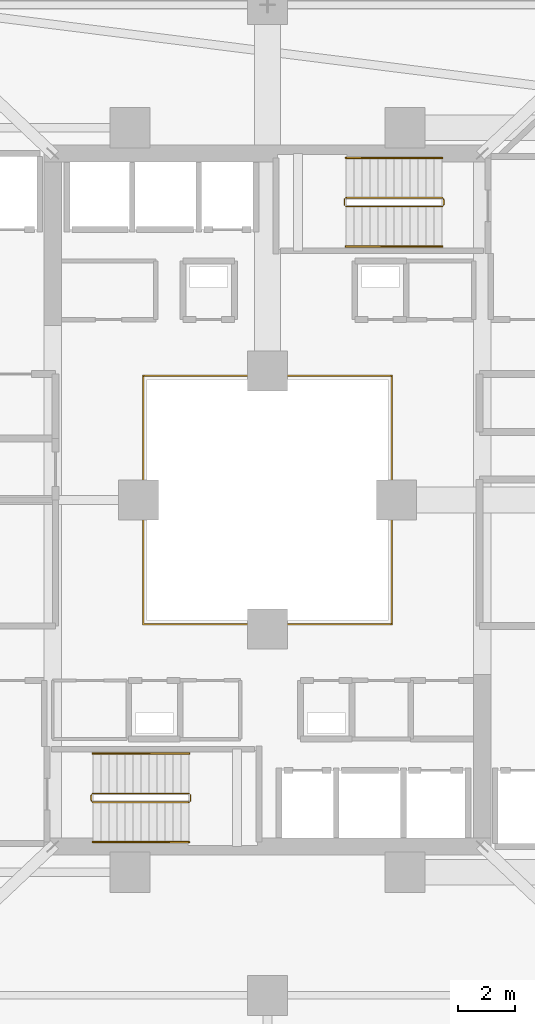
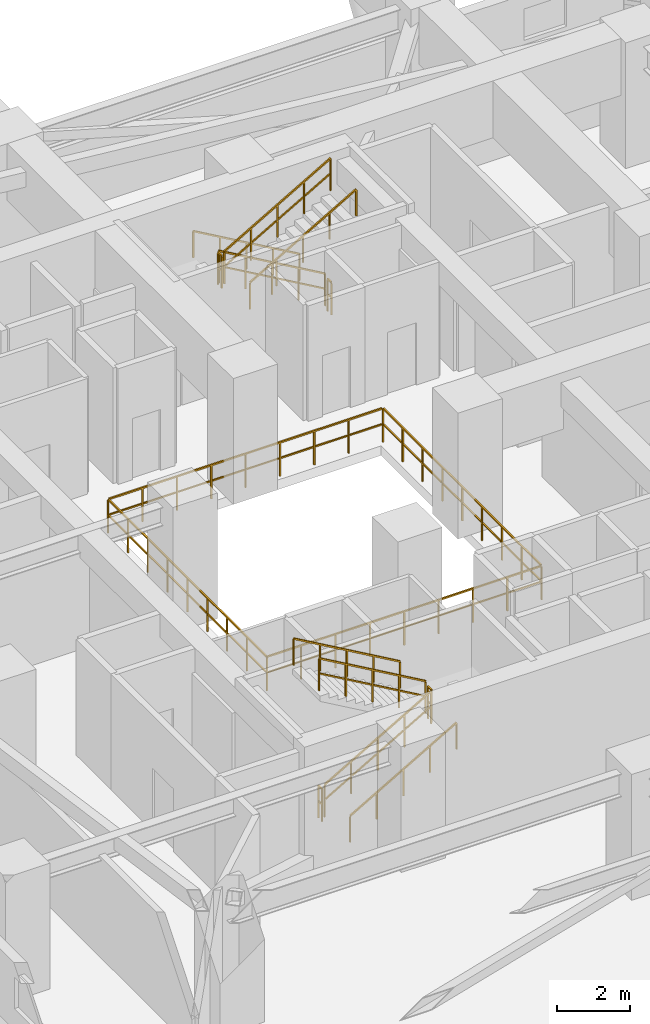
# One storey, part 37 of 38: 13 railings.
"""IFC4 building model written with IfcOpenShell, lengths in metres."""

from ifc_helpers import new_model, si_unit, direction, frame, origin, origin_2d, place, context, subcontext, project, spatial, rectangle, extrude, material, type_object, element, save


model = new_model("IFC4")

# Units and contexts
model_context = context("Model", 3, precision=1e-05, world=origin(), true_north=direction((0.0, 1.0)))
body_context = subcontext(model_context, "Body", "Model", "MODEL_VIEW")
ifc_project = project(units=[si_unit("LENGTHUNIT", "METRE"), si_unit("AREAUNIT", "SQUARE_METRE"), si_unit("VOLUMEUNIT", "CUBIC_METRE"), si_unit("PLANEANGLEUNIT", "RADIAN"), si_unit("MASSUNIT", "GRAM", prefix="KILO")], contexts=[model_context])

# Site, building, storey
site_placement = place(None, origin())
site = spatial("IfcSite", under=ifc_project, at=site_placement, CompositionType="ELEMENT")
building_placement = place(site_placement, origin())
building = spatial("IfcBuilding", under=site, at=building_placement, Name="Thornwick Lancets Civic Towers", CompositionType="ELEMENT")
storey_placement = place(building_placement, frame((0.0, 0.0, 71.699951171875)))
storey = spatial("IfcBuildingStorey", under=building, at=storey_placement, Name="L18", CompositionType="ELEMENT", Elevation=71.699951171875)

# Railings
ifc_material_1 = material(Name="Laminated glass and bronze steel S355", Category="steel")
railing_type_1 = type_object("IfcRailingType", Name="RAIL_ATRIUM_GUARD", PredefinedType="BALUSTRADE", material=ifc_material_1)
railing_1_placement = place(storey_placement, frame((21.159912109375, 22.659912109375, 0.0)))
element("IfcRailing", 1, at=railing_1_placement, inside=storey, type_object=railing_type_1, Name="L18 Tower A Central Atrium Guard Balustrade", PredefinedType="BALUSTRADE", context=body_context, shape_type="SweptSolid", body=[
    extrude(rectangle(XDim=0.048095703125, YDim=0.048095703125, at=origin_2d()), frame((0.0, 0.0, 1.1259765625), z_axis=(1.0, 0.0, 0.0), x_axis=(0.0, 1.0, 0.0)), (0.0, 0.0, 1.0), 8.64892578125),
    extrude(rectangle(XDim=0.0419921875, YDim=0.0419921875, at=origin_2d()), frame((0.03759765625, 0.0, 0.597900390625), z_axis=(1.0, 0.0, 0.0), x_axis=(0.0, 1.0, 0.0)), (0.0, 0.0, 1.0), 1.010009765625),
    extrude(rectangle(XDim=0.0419921875, YDim=0.0419921875, at=origin_2d()), frame((1.12255859375, 0.0, 0.597900390625), z_axis=(1.0, 0.0, 0.0), x_axis=(0.0, 1.0, 0.0)), (0.0, 0.0, 1.0), 1.010009765625),
    extrude(rectangle(XDim=0.0419921875, YDim=0.0419921875, at=origin_2d()), frame((2.20751953125, 0.0, 0.597900390625), z_axis=(1.0, 0.0, 0.0), x_axis=(0.0, 1.0, 0.0)), (0.0, 0.0, 1.0), 1.010009765625),
    extrude(rectangle(XDim=0.0419921875, YDim=0.0419921875, at=origin_2d()), frame((3.29248046875, 0.0, 0.597900390625), z_axis=(1.0, 0.0, 0.0), x_axis=(0.0, 1.0, 0.0)), (0.0, 0.0, 1.0), 1.010009765625),
    extrude(rectangle(XDim=0.0419921875, YDim=0.0419921875, at=origin_2d()), frame((4.377685546875, 0.0, 0.597900390625), z_axis=(1.0, 0.0, 0.0), x_axis=(0.0, 1.0, 0.0)), (0.0, 0.0, 1.0), 1.010009765625),
    extrude(rectangle(XDim=0.0419921875, YDim=0.0419921875, at=origin_2d()), frame((5.462646484375, 0.0, 0.597900390625), z_axis=(1.0, 0.0, 0.0), x_axis=(0.0, 1.0, 0.0)), (0.0, 0.0, 1.0), 1.010009765625),
    extrude(rectangle(XDim=0.0419921875, YDim=0.0419921875, at=origin_2d()), frame((6.547607421875, 0.0, 0.597900390625), z_axis=(1.0, 0.0, 0.0), x_axis=(0.0, 1.0, 0.0)), (0.0, 0.0, 1.0), 1.010009765625),
    extrude(rectangle(XDim=0.0419921875, YDim=0.0419921875, at=origin_2d()), frame((7.632568359375, 0.0, 0.597900390625), z_axis=(1.0, 0.0, 0.0), x_axis=(0.0, 1.0, 0.0)), (0.0, 0.0, 1.0), 1.010009765625),
    extrude(rectangle(XDim=0.048095703125, YDim=0.048095703125, at=origin_2d()), frame((8.68017578125, 0.03125, 1.1259765625), z_axis=(0.0, 1.0, 0.0), x_axis=(-1.0, 0.0, 0.0)), (0.0, 0.0, 1.0), 8.61767578125),
    extrude(rectangle(XDim=0.0419921875, YDim=0.0419921875, at=origin_2d()), frame((8.68017578125, 0.03759765625, 0.597900390625), z_axis=(0.0, 1.0, 0.0), x_axis=(-1.0, 0.0, 0.0)), (0.0, 0.0, 1.0), 1.010009765625),
    extrude(rectangle(XDim=0.0419921875, YDim=0.0419921875, at=origin_2d()), frame((8.68017578125, 1.12255859375, 0.597900390625), z_axis=(0.0, 1.0, 0.0), x_axis=(-1.0, 0.0, 0.0)), (0.0, 0.0, 1.0), 1.010009765625),
    extrude(rectangle(XDim=0.0419921875, YDim=0.0419921875, at=origin_2d()), frame((8.68017578125, 2.20751953125, 0.597900390625), z_axis=(0.0, 1.0, 0.0), x_axis=(-1.0, 0.0, 0.0)), (0.0, 0.0, 1.0), 1.010009765625),
    extrude(rectangle(XDim=0.0419921875, YDim=0.0419921875, at=origin_2d()), frame((8.68017578125, 3.29248046875, 0.597900390625), z_axis=(0.0, 1.0, 0.0), x_axis=(-1.0, 0.0, 0.0)), (0.0, 0.0, 1.0), 1.010009765625),
    extrude(rectangle(XDim=0.0419921875, YDim=0.0419921875, at=origin_2d()), frame((8.68017578125, 4.377685546875, 0.597900390625), z_axis=(0.0, 1.0, 0.0), x_axis=(-1.0, 0.0, 0.0)), (0.0, 0.0, 1.0), 1.010009765625),
    extrude(rectangle(XDim=0.0419921875, YDim=0.0419921875, at=origin_2d()), frame((8.68017578125, 5.462646484375, 0.597900390625), z_axis=(0.0, 1.0, 0.0), x_axis=(-1.0, 0.0, 0.0)), (0.0, 0.0, 1.0), 1.010009765625),
    extrude(rectangle(XDim=0.0419921875, YDim=0.0419921875, at=origin_2d()), frame((8.68017578125, 6.547607421875, 0.597900390625), z_axis=(0.0, 1.0, 0.0), x_axis=(-1.0, 0.0, 0.0)), (0.0, 0.0, 1.0), 1.010009765625),
    extrude(rectangle(XDim=0.0419921875, YDim=0.0419921875, at=origin_2d()), frame((8.68017578125, 7.632568359375, 0.597900390625), z_axis=(0.0, 1.0, 0.0), x_axis=(-1.0, 0.0, 0.0)), (0.0, 0.0, 1.0), 1.010009765625),
    extrude(rectangle(XDim=0.048095703125, YDim=0.048095703125, at=origin_2d()), frame((8.64892578125, 8.68017578125, 1.1259765625), z_axis=(-1.0, 0.0, 0.0), x_axis=(0.0, -1.0, 0.0)), (0.0, 0.0, 1.0), 8.61767578125),
    extrude(rectangle(XDim=0.0419921875, YDim=0.0419921875, at=origin_2d()), frame((8.642578125, 8.68017578125, 0.597900390625), z_axis=(-1.0, 0.0, 0.0), x_axis=(0.0, -1.0, 0.0)), (0.0, 0.0, 1.0), 1.010009765625),
    extrude(rectangle(XDim=0.0419921875, YDim=0.0419921875, at=origin_2d()), frame((7.5576171875, 8.68017578125, 0.597900390625), z_axis=(-1.0, 0.0, 0.0), x_axis=(0.0, -1.0, 0.0)), (0.0, 0.0, 1.0), 1.010009765625),
    extrude(rectangle(XDim=0.0419921875, YDim=0.0419921875, at=origin_2d()), frame((6.47265625, 8.68017578125, 0.597900390625), z_axis=(-1.0, 0.0, 0.0), x_axis=(0.0, -1.0, 0.0)), (0.0, 0.0, 1.0), 1.010009765625),
    extrude(rectangle(XDim=0.0419921875, YDim=0.0419921875, at=origin_2d()), frame((5.3876953125, 8.68017578125, 0.597900390625), z_axis=(-1.0, 0.0, 0.0), x_axis=(0.0, -1.0, 0.0)), (0.0, 0.0, 1.0), 1.010009765625),
    extrude(rectangle(XDim=0.0419921875, YDim=0.0419921875, at=origin_2d()), frame((4.302490234375, 8.68017578125, 0.597900390625), z_axis=(-1.0, 0.0, 0.0), x_axis=(0.0, -1.0, 0.0)), (0.0, 0.0, 1.0), 1.010009765625),
    extrude(rectangle(XDim=0.0419921875, YDim=0.0419921875, at=origin_2d()), frame((3.217529296875, 8.68017578125, 0.597900390625), z_axis=(-1.0, 0.0, 0.0), x_axis=(0.0, -1.0, 0.0)), (0.0, 0.0, 1.0), 1.010009765625),
    extrude(rectangle(XDim=0.0419921875, YDim=0.0419921875, at=origin_2d()), frame((2.132568359375, 8.68017578125, 0.597900390625), z_axis=(-1.0, 0.0, 0.0), x_axis=(0.0, -1.0, 0.0)), (0.0, 0.0, 1.0), 1.010009765625),
    extrude(rectangle(XDim=0.0419921875, YDim=0.0419921875, at=origin_2d()), frame((1.047607421875, 8.68017578125, 0.597900390625), z_axis=(-1.0, 0.0, 0.0), x_axis=(0.0, -1.0, 0.0)), (0.0, 0.0, 1.0), 1.010009765625),
    extrude(rectangle(XDim=0.048095703125, YDim=0.048095703125, at=origin_2d()), frame((0.0, 8.64892578125, 1.1259765625), z_axis=(0.0, -1.0, 0.0), x_axis=(1.0, 0.0, 0.0)), (0.0, 0.0, 1.0), 8.64892578125),
    extrude(rectangle(XDim=0.0419921875, YDim=0.0419921875, at=origin_2d()), frame((0.0, 8.642578125, 0.597900390625), z_axis=(0.0, -1.0, 0.0), x_axis=(1.0, 0.0, 0.0)), (0.0, 0.0, 1.0), 1.010009765625),
    extrude(rectangle(XDim=0.0419921875, YDim=0.0419921875, at=origin_2d()), frame((0.0, 7.5576171875, 0.597900390625), z_axis=(0.0, -1.0, 0.0), x_axis=(1.0, 0.0, 0.0)), (0.0, 0.0, 1.0), 1.010009765625),
    extrude(rectangle(XDim=0.0419921875, YDim=0.0419921875, at=origin_2d()), frame((0.0, 6.47265625, 0.597900390625), z_axis=(0.0, -1.0, 0.0), x_axis=(1.0, 0.0, 0.0)), (0.0, 0.0, 1.0), 1.010009765625),
    extrude(rectangle(XDim=0.0419921875, YDim=0.0419921875, at=origin_2d()), frame((0.0, 5.3876953125, 0.597900390625), z_axis=(0.0, -1.0, 0.0), x_axis=(1.0, 0.0, 0.0)), (0.0, 0.0, 1.0), 1.010009765625),
    extrude(rectangle(XDim=0.0419921875, YDim=0.0419921875, at=origin_2d()), frame((0.0, 4.302490234375, 0.597900390625), z_axis=(0.0, -1.0, 0.0), x_axis=(1.0, 0.0, 0.0)), (0.0, 0.0, 1.0), 1.010009765625),
    extrude(rectangle(XDim=0.0419921875, YDim=0.0419921875, at=origin_2d()), frame((0.0, 3.217529296875, 0.597900390625), z_axis=(0.0, -1.0, 0.0), x_axis=(1.0, 0.0, 0.0)), (0.0, 0.0, 1.0), 1.010009765625),
    extrude(rectangle(XDim=0.0419921875, YDim=0.0419921875, at=origin_2d()), frame((0.0, 2.132568359375, 0.597900390625), z_axis=(0.0, -1.0, 0.0), x_axis=(1.0, 0.0, 0.0)), (0.0, 0.0, 1.0), 1.010009765625),
    extrude(rectangle(XDim=0.0419921875, YDim=0.0419921875, at=origin_2d()), frame((0.0, 1.047607421875, 0.597900390625), z_axis=(0.0, -1.0, 0.0), x_axis=(1.0, 0.0, 0.0)), (0.0, 0.0, 1.0), 1.010009765625),
    extrude(rectangle(XDim=0.0419921875, YDim=0.0419921875, at=origin_2d()), origin(), (0.0, 0.0, 1.0), 1.095703125),
    extrude(rectangle(XDim=0.0419921875, YDim=0.0419921875, at=origin_2d()), frame((1.0849609375, 0.0, 0.0)), (0.0, 0.0, 1.0), 1.095703125),
    extrude(rectangle(XDim=0.0419921875, YDim=0.0419921875, at=origin_2d()), frame((2.169921875, 0.0, 0.0)), (0.0, 0.0, 1.0), 1.095703125),
    extrude(rectangle(XDim=0.0419921875, YDim=0.0419921875, at=origin_2d()), frame((3.255126953125, 0.0, 0.0)), (0.0, 0.0, 1.0), 1.095703125),
    extrude(rectangle(XDim=0.0419921875, YDim=0.0419921875, at=origin_2d()), frame((4.340087890625, 0.0, 0.0)), (0.0, 0.0, 1.0), 1.095703125),
    extrude(rectangle(XDim=0.0419921875, YDim=0.0419921875, at=origin_2d()), frame((5.425048828125, 0.0, 0.0)), (0.0, 0.0, 1.0), 1.095703125),
    extrude(rectangle(XDim=0.0419921875, YDim=0.0419921875, at=origin_2d()), frame((6.51025390625, 0.0, 0.0)), (0.0, 0.0, 1.0), 1.095703125),
    extrude(rectangle(XDim=0.0419921875, YDim=0.0419921875, at=origin_2d()), frame((7.59521484375, 0.0, 0.0)), (0.0, 0.0, 1.0), 1.095703125),
    extrude(rectangle(XDim=0.0419921875, YDim=0.0419921875, at=origin_2d()), frame((8.68017578125, 0.0, 0.0)), (0.0, 0.0, 1.0), 1.095703125),
    extrude(rectangle(XDim=0.0419921875, YDim=0.0419921875, at=origin_2d()), frame((8.68017578125, 1.0849609375, 0.0)), (0.0, 0.0, 1.0), 1.095703125),
    extrude(rectangle(XDim=0.0419921875, YDim=0.0419921875, at=origin_2d()), frame((8.68017578125, 2.169921875, 0.0)), (0.0, 0.0, 1.0), 1.095703125),
    extrude(rectangle(XDim=0.0419921875, YDim=0.0419921875, at=origin_2d()), frame((8.68017578125, 3.255126953125, 0.0)), (0.0, 0.0, 1.0), 1.095703125),
    extrude(rectangle(XDim=0.0419921875, YDim=0.0419921875, at=origin_2d()), frame((8.68017578125, 4.340087890625, 0.0)), (0.0, 0.0, 1.0), 1.095703125),
    extrude(rectangle(XDim=0.0419921875, YDim=0.0419921875, at=origin_2d()), frame((8.68017578125, 5.425048828125, 0.0)), (0.0, 0.0, 1.0), 1.095703125),
    extrude(rectangle(XDim=0.0419921875, YDim=0.0419921875, at=origin_2d()), frame((8.68017578125, 6.51025390625, 0.0)), (0.0, 0.0, 1.0), 1.095703125),
    extrude(rectangle(XDim=0.0419921875, YDim=0.0419921875, at=origin_2d()), frame((8.68017578125, 7.59521484375, 0.0)), (0.0, 0.0, 1.0), 1.095703125),
    extrude(rectangle(XDim=0.0419921875, YDim=0.0419921875, at=origin_2d()), frame((8.68017578125, 8.68017578125, 0.0)), (0.0, 0.0, 1.0), 1.095703125),
    extrude(rectangle(XDim=0.0419921875, YDim=0.0419921875, at=origin_2d()), frame((7.59521484375, 8.68017578125, 0.0)), (0.0, 0.0, 1.0), 1.095703125),
    extrude(rectangle(XDim=0.0419921875, YDim=0.0419921875, at=origin_2d()), frame((6.51025390625, 8.68017578125, 0.0)), (0.0, 0.0, 1.0), 1.095703125),
    extrude(rectangle(XDim=0.0419921875, YDim=0.0419921875, at=origin_2d()), frame((5.425048828125, 8.68017578125, 0.0)), (0.0, 0.0, 1.0), 1.095703125),
    extrude(rectangle(XDim=0.0419921875, YDim=0.0419921875, at=origin_2d()), frame((4.340087890625, 8.68017578125, 0.0)), (0.0, 0.0, 1.0), 1.095703125),
    extrude(rectangle(XDim=0.0419921875, YDim=0.0419921875, at=origin_2d()), frame((3.255126953125, 8.68017578125, 0.0)), (0.0, 0.0, 1.0), 1.095703125),
    extrude(rectangle(XDim=0.0419921875, YDim=0.0419921875, at=origin_2d()), frame((2.169921875, 8.68017578125, 0.0)), (0.0, 0.0, 1.0), 1.095703125),
    extrude(rectangle(XDim=0.0419921875, YDim=0.0419921875, at=origin_2d()), frame((1.0849609375, 8.68017578125, 0.0)), (0.0, 0.0, 1.0), 1.095703125),
    extrude(rectangle(XDim=0.0419921875, YDim=0.0419921875, at=origin_2d()), frame((0.0, 8.68017578125, 0.0)), (0.0, 0.0, 1.0), 1.095703125),
    extrude(rectangle(XDim=0.0419921875, YDim=0.0419921875, at=origin_2d()), frame((0.0, 7.59521484375, 0.0)), (0.0, 0.0, 1.0), 1.095703125),
    extrude(rectangle(XDim=0.0419921875, YDim=0.0419921875, at=origin_2d()), frame((0.0, 6.51025390625, 0.0)), (0.0, 0.0, 1.0), 1.095703125),
    extrude(rectangle(XDim=0.0419921875, YDim=0.0419921875, at=origin_2d()), frame((0.0, 5.425048828125, 0.0)), (0.0, 0.0, 1.0), 1.095703125),
    extrude(rectangle(XDim=0.0419921875, YDim=0.0419921875, at=origin_2d()), frame((0.0, 4.340087890625, 0.0)), (0.0, 0.0, 1.0), 1.095703125),
    extrude(rectangle(XDim=0.0419921875, YDim=0.0419921875, at=origin_2d()), frame((0.0, 3.255126953125, 0.0)), (0.0, 0.0, 1.0), 1.095703125),
    extrude(rectangle(XDim=0.0419921875, YDim=0.0419921875, at=origin_2d()), frame((0.0, 2.169921875, 0.0)), (0.0, 0.0, 1.0), 1.095703125),
    extrude(rectangle(XDim=0.0419921875, YDim=0.0419921875, at=origin_2d()), frame((0.0, 1.0849609375, 0.0)), (0.0, 0.0, 1.0), 1.095703125),
])
ifc_material_2 = material(Name="Brushed stainless steel S355", Category="steel")
railing_type_2 = type_object("IfcRailingType", Name="RAIL_HANDRAIL", PredefinedType="HANDRAIL", material=ifc_material_2)
railing_2_placement = place(storey_placement, frame((19.39990234375, 15.050048828125, 0.16162109375)))
element("IfcRailing", 2, at=railing_2_placement, inside=storey, type_object=railing_type_2, Name="L18 ST-A1 stair handrail 1", PredefinedType="HANDRAIL", context=body_context, shape_type="SweptSolid", body=[
    extrude(rectangle(XDim=0.048095703125, YDim=0.048095703125, at=origin_2d()), frame((0.0, 0.0, 0.8857421875), z_axis=(0.866190824863, 0.0, 0.499713372768), x_axis=(0.0, 1.0, 0.0)), (0.0, 0.0, 1.0), 3.879150390625),
    extrude(rectangle(XDim=0.0419921875, YDim=0.0419921875, at=origin_2d()), origin(), (0.0, 0.0, 1.0), 0.855712890625),
    extrude(rectangle(XDim=0.0419921875, YDim=0.0419921875, at=origin_2d()), frame((0.840087890625, 0.0, 0.484619140625)), (0.0, 0.0, 1.0), 0.855712890625),
    extrude(rectangle(XDim=0.0419921875, YDim=0.0419921875, at=origin_2d()), frame((1.68017578125, 0.0, 0.96923828125)), (0.0, 0.0, 1.0), 0.855712890625),
    extrude(rectangle(XDim=0.0419921875, YDim=0.0419921875, at=origin_2d()), frame((2.52001953125, 0.0, 1.453857421875)), (0.0, 0.0, 1.0), 0.855712890625),
    extrude(rectangle(XDim=0.0419921875, YDim=0.0419921875, at=origin_2d()), frame((3.360107421875, 0.0, 1.9384765625)), (0.0, 0.0, 1.0), 0.855712890625),
])
for number, where, name in (
    (3, (22.760009765625, 18.14990234375, 2.261474609375), "L18 ST-A1 stair handrail 2"),
    (4, (31.60009765625, 38.949951171875, 0.16162109375), "L18 ST-A2 stair handrail 1"),
):
    element("IfcRailing", number, at=place(storey_placement, frame(where)), inside=storey, type_object=railing_type_2, Name=name, PredefinedType="HANDRAIL", context=body_context, shape_type="SweptSolid", body=[
        extrude(rectangle(XDim=0.048095703125, YDim=0.048095703125, at=origin_2d()), frame((0.0, 0.0, 0.8857421875), z_axis=(-0.866190824863, 0.0, 0.499713372768), x_axis=(0.0, -1.0, 0.0)), (0.0, 0.0, 1.0), 3.879150390625),
        extrude(rectangle(XDim=0.0419921875, YDim=0.0419921875, at=origin_2d()), origin(), (0.0, 0.0, 1.0), 0.855712890625),
        extrude(rectangle(XDim=0.0419921875, YDim=0.0419921875, at=origin_2d()), frame((-0.840087890625, 0.0, 0.484619140625)), (0.0, 0.0, 1.0), 0.855712890625),
        extrude(rectangle(XDim=0.0419921875, YDim=0.0419921875, at=origin_2d()), frame((-1.68017578125, 0.0, 0.96923828125)), (0.0, 0.0, 1.0), 0.855712890625),
        extrude(rectangle(XDim=0.0419921875, YDim=0.0419921875, at=origin_2d()), frame((-2.52001953125, 0.0, 1.453857421875)), (0.0, 0.0, 1.0), 0.855712890625),
        extrude(rectangle(XDim=0.0419921875, YDim=0.0419921875, at=origin_2d()), frame((-3.360107421875, 0.0, 1.9384765625)), (0.0, 0.0, 1.0), 0.855712890625),
    ])
railing_3_placement = place(storey_placement, frame((28.239990234375, 35.85009765625, 2.261474609375)))
element("IfcRailing", 5, at=railing_3_placement, inside=storey, type_object=railing_type_2, Name="L18 ST-A2 stair handrail 2", PredefinedType="HANDRAIL", context=body_context, shape_type="SweptSolid", body=[
    extrude(rectangle(XDim=0.048095703125, YDim=0.048095703125, at=origin_2d()), frame((0.0, 0.0, 0.8857421875), z_axis=(0.866190824863, 0.0, 0.499713372768), x_axis=(0.0, 1.0, 0.0)), (0.0, 0.0, 1.0), 3.879150390625),
    extrude(rectangle(XDim=0.0419921875, YDim=0.0419921875, at=origin_2d()), origin(), (0.0, 0.0, 1.0), 0.855712890625),
    extrude(rectangle(XDim=0.0419921875, YDim=0.0419921875, at=origin_2d()), frame((0.840087890625, 0.0, 0.484619140625)), (0.0, 0.0, 1.0), 0.855712890625),
    extrude(rectangle(XDim=0.0419921875, YDim=0.0419921875, at=origin_2d()), frame((1.68017578125, 0.0, 0.96923828125)), (0.0, 0.0, 1.0), 0.855712890625),
    extrude(rectangle(XDim=0.0419921875, YDim=0.0419921875, at=origin_2d()), frame((2.52001953125, 0.0, 1.453857421875)), (0.0, 0.0, 1.0), 0.855712890625),
    extrude(rectangle(XDim=0.0419921875, YDim=0.0419921875, at=origin_2d()), frame((3.360107421875, 0.0, 1.9384765625)), (0.0, 0.0, 1.0), 0.855712890625),
])
ifc_material_3 = material(Name="Steel S355JR", Category="steel")
railing_type_3 = type_object("IfcRailingType", Name="RAIL_STAIR_GUARD", PredefinedType="GUARDRAIL", material=ifc_material_3)
railing_4_placement = place(storey_placement, frame((19.39990234375, 16.449951171875, 0.16162109375)))
element("IfcRailing", 6, at=railing_4_placement, inside=storey, type_object=railing_type_3, Name="L18 ST-A1 stair guard 1", PredefinedType="GUARDRAIL", context=body_context, shape_type="SweptSolid", body=[
    extrude(rectangle(XDim=0.048095703125, YDim=0.048095703125, at=origin_2d()), frame((0.0, 0.0, 1.076171875), z_axis=(0.866190824863, 0.0, 0.499713372768), x_axis=(0.0, 1.0, 0.0)), (0.0, 0.0, 1.0), 3.879150390625),
    extrude(rectangle(XDim=0.0419921875, YDim=0.0419921875, at=origin_2d()), frame((0.032470703125, 0.0, 0.5908203125), z_axis=(0.866190824863, 0.0, 0.499713372768), x_axis=(0.0, 1.0, 0.0)), (0.0, 0.0, 1.0), 0.894775390625),
    extrude(rectangle(XDim=0.0419921875, YDim=0.0419921875, at=origin_2d()), frame((0.87255859375, 0.0, 1.075439453125), z_axis=(0.866190824863, 0.0, 0.499713372768), x_axis=(0.0, 1.0, 0.0)), (0.0, 0.0, 1.0), 0.894775390625),
    extrude(rectangle(XDim=0.0419921875, YDim=0.0419921875, at=origin_2d()), frame((1.712646484375, 0.0, 1.56005859375), z_axis=(0.866190824863, 0.0, 0.499713372768), x_axis=(0.0, 1.0, 0.0)), (0.0, 0.0, 1.0), 0.894775390625),
    extrude(rectangle(XDim=0.0419921875, YDim=0.0419921875, at=origin_2d()), frame((2.552490234375, 0.0, 2.044677734375), z_axis=(0.866190824863, 0.0, 0.499713372768), x_axis=(0.0, 1.0, 0.0)), (0.0, 0.0, 1.0), 0.894775390625),
    extrude(rectangle(XDim=0.0419921875, YDim=0.0419921875, at=origin_2d()), origin(), (0.0, 0.0, 1.0), 1.0458984375),
    extrude(rectangle(XDim=0.0419921875, YDim=0.0419921875, at=origin_2d()), frame((0.840087890625, 0.0, 0.484619140625)), (0.0, 0.0, 1.0), 1.0458984375),
    extrude(rectangle(XDim=0.0419921875, YDim=0.0419921875, at=origin_2d()), frame((1.68017578125, 0.0, 0.96923828125)), (0.0, 0.0, 1.0), 1.0458984375),
    extrude(rectangle(XDim=0.0419921875, YDim=0.0419921875, at=origin_2d()), frame((2.52001953125, 0.0, 1.453857421875)), (0.0, 0.0, 1.0), 1.0458984375),
    extrude(rectangle(XDim=0.0419921875, YDim=0.0419921875, at=origin_2d()), frame((3.360107421875, 0.0, 1.9384765625)), (0.0, 0.0, 1.0), 1.0458984375),
])
railing_5_placement = place(storey_placement, frame((22.81005859375, 16.5, 2.10009765625)))
element("IfcRailing", 7, at=railing_5_placement, inside=storey, type_object=railing_type_3, Name="L18 ST-A1 stair guard 2", PredefinedType="GUARDRAIL", context=body_context, shape_type="SweptSolid", body=[
    extrude(rectangle(XDim=0.048095703125, YDim=0.048095703125, at=origin_2d()), frame((0.0, 0.0, 1.076171875), z_axis=(0.0, 1.0, 0.0), x_axis=(-1.0, 0.0, 0.0)), (0.0, 0.0, 1.0), 0.199951171875),
    extrude(rectangle(XDim=0.0419921875, YDim=0.0419921875, at=origin_2d()), frame((0.0, 0.03759765625, 0.572021484375), z_axis=(0.0, 1.0, 0.0), x_axis=(-1.0, 0.0, 0.0)), (0.0, 0.0, 1.0), 0.125),
    extrude(rectangle(XDim=0.0419921875, YDim=0.0419921875, at=origin_2d()), origin(), (0.0, 0.0, 1.0), 1.0458984375),
    extrude(rectangle(XDim=0.0419921875, YDim=0.0419921875, at=origin_2d()), frame((0.0, 0.199951171875, 0.0)), (0.0, 0.0, 1.0), 1.0458984375),
])
railing_6_placement = place(storey_placement, frame((22.760009765625, 16.75, 2.261474609375)))
element("IfcRailing", 8, at=railing_6_placement, inside=storey, type_object=railing_type_3, Name="L18 ST-A1 stair guard 3", PredefinedType="GUARDRAIL", context=body_context, shape_type="SweptSolid", body=[
    extrude(rectangle(XDim=0.048095703125, YDim=0.048095703125, at=origin_2d()), frame((0.0, 0.0, 1.076171875), z_axis=(-0.866190824863, 0.0, 0.499713372768), x_axis=(0.0, -1.0, 0.0)), (0.0, 0.0, 1.0), 3.879150390625),
    extrude(rectangle(XDim=0.0419921875, YDim=0.0419921875, at=origin_2d()), frame((-0.032470703125, 0.0, 0.5908203125), z_axis=(-0.866190824863, 0.0, 0.499713372768), x_axis=(0.0, -1.0, 0.0)), (0.0, 0.0, 1.0), 0.894775390625),
    extrude(rectangle(XDim=0.0419921875, YDim=0.0419921875, at=origin_2d()), frame((-0.87255859375, 0.0, 1.075439453125), z_axis=(-0.866190824863, 0.0, 0.499713372768), x_axis=(0.0, -1.0, 0.0)), (0.0, 0.0, 1.0), 0.894775390625),
    extrude(rectangle(XDim=0.0419921875, YDim=0.0419921875, at=origin_2d()), frame((-1.712646484375, 0.0, 1.56005859375), z_axis=(-0.866190824863, 0.0, 0.499713372768), x_axis=(0.0, -1.0, 0.0)), (0.0, 0.0, 1.0), 0.894775390625),
    extrude(rectangle(XDim=0.0419921875, YDim=0.0419921875, at=origin_2d()), frame((-2.552490234375, 0.0, 2.044677734375), z_axis=(-0.866190824863, 0.0, 0.499713372768), x_axis=(0.0, -1.0, 0.0)), (0.0, 0.0, 1.0), 0.894775390625),
    extrude(rectangle(XDim=0.0419921875, YDim=0.0419921875, at=origin_2d()), origin(), (0.0, 0.0, 1.0), 1.0458984375),
    extrude(rectangle(XDim=0.0419921875, YDim=0.0419921875, at=origin_2d()), frame((-0.840087890625, 0.0, 0.484619140625)), (0.0, 0.0, 1.0), 1.0458984375),
    extrude(rectangle(XDim=0.0419921875, YDim=0.0419921875, at=origin_2d()), frame((-1.68017578125, 0.0, 0.96923828125)), (0.0, 0.0, 1.0), 1.0458984375),
    extrude(rectangle(XDim=0.0419921875, YDim=0.0419921875, at=origin_2d()), frame((-2.52001953125, 0.0, 1.453857421875)), (0.0, 0.0, 1.0), 1.0458984375),
    extrude(rectangle(XDim=0.0419921875, YDim=0.0419921875, at=origin_2d()), frame((-3.360107421875, 0.0, 1.9384765625)), (0.0, 0.0, 1.0), 1.0458984375),
])
railing_7_placement = place(storey_placement, frame((19.35009765625, 16.5, 0.0)))
element("IfcRailing", 9, at=railing_7_placement, inside=storey, type_object=railing_type_3, Name="L18 ST-A1 stair guard 4", PredefinedType="GUARDRAIL", context=body_context, shape_type="SweptSolid", body=[
    extrude(rectangle(XDim=0.048095703125, YDim=0.048095703125, at=origin_2d()), frame((0.0, 0.0, 1.076171875), z_axis=(0.0, 1.0, 0.0), x_axis=(-1.0, 0.0, 0.0)), (0.0, 0.0, 1.0), 0.199951171875),
    extrude(rectangle(XDim=0.0419921875, YDim=0.0419921875, at=origin_2d()), frame((0.0, 0.03759765625, 0.572021484375), z_axis=(0.0, 1.0, 0.0), x_axis=(-1.0, 0.0, 0.0)), (0.0, 0.0, 1.0), 0.125),
    extrude(rectangle(XDim=0.0419921875, YDim=0.0419921875, at=origin_2d()), origin(), (0.0, 0.0, 1.0), 1.0458984375),
    extrude(rectangle(XDim=0.0419921875, YDim=0.0419921875, at=origin_2d()), frame((0.0, 0.199951171875, 0.0)), (0.0, 0.0, 1.0), 1.0458984375),
])
railing_8_placement = place(storey_placement, frame((31.60009765625, 37.550048828125, 0.16162109375)))
element("IfcRailing", 10, at=railing_8_placement, inside=storey, type_object=railing_type_3, Name="L18 ST-A2 stair guard 1", PredefinedType="GUARDRAIL", context=body_context, shape_type="SweptSolid", body=[
    extrude(rectangle(XDim=0.048095703125, YDim=0.048095703125, at=origin_2d()), frame((0.0, 0.0, 1.076171875), z_axis=(-0.866190824863, 0.0, 0.499713372768), x_axis=(0.0, -1.0, 0.0)), (0.0, 0.0, 1.0), 3.879150390625),
    extrude(rectangle(XDim=0.0419921875, YDim=0.0419921875, at=origin_2d()), frame((-0.032470703125, 0.0, 0.5908203125), z_axis=(-0.866190824863, 0.0, 0.499713372768), x_axis=(0.0, -1.0, 0.0)), (0.0, 0.0, 1.0), 0.894775390625),
    extrude(rectangle(XDim=0.0419921875, YDim=0.0419921875, at=origin_2d()), frame((-0.87255859375, 0.0, 1.075439453125), z_axis=(-0.866190824863, 0.0, 0.499713372768), x_axis=(0.0, -1.0, 0.0)), (0.0, 0.0, 1.0), 0.894775390625),
    extrude(rectangle(XDim=0.0419921875, YDim=0.0419921875, at=origin_2d()), frame((-1.712646484375, 0.0, 1.56005859375), z_axis=(-0.866190824863, 0.0, 0.499713372768), x_axis=(0.0, -1.0, 0.0)), (0.0, 0.0, 1.0), 0.894775390625),
    extrude(rectangle(XDim=0.0419921875, YDim=0.0419921875, at=origin_2d()), frame((-2.552490234375, 0.0, 2.044677734375), z_axis=(-0.866190824863, 0.0, 0.499713372768), x_axis=(0.0, -1.0, 0.0)), (0.0, 0.0, 1.0), 0.894775390625),
    extrude(rectangle(XDim=0.0419921875, YDim=0.0419921875, at=origin_2d()), origin(), (0.0, 0.0, 1.0), 1.0458984375),
    extrude(rectangle(XDim=0.0419921875, YDim=0.0419921875, at=origin_2d()), frame((-0.840087890625, 0.0, 0.484619140625)), (0.0, 0.0, 1.0), 1.0458984375),
    extrude(rectangle(XDim=0.0419921875, YDim=0.0419921875, at=origin_2d()), frame((-1.68017578125, 0.0, 0.96923828125)), (0.0, 0.0, 1.0), 1.0458984375),
    extrude(rectangle(XDim=0.0419921875, YDim=0.0419921875, at=origin_2d()), frame((-2.52001953125, 0.0, 1.453857421875)), (0.0, 0.0, 1.0), 1.0458984375),
    extrude(rectangle(XDim=0.0419921875, YDim=0.0419921875, at=origin_2d()), frame((-3.360107421875, 0.0, 1.9384765625)), (0.0, 0.0, 1.0), 1.0458984375),
])
railing_9_placement = place(storey_placement, frame((28.18994140625, 37.5, 2.10009765625)))
element("IfcRailing", 11, at=railing_9_placement, inside=storey, type_object=railing_type_3, Name="L18 ST-A2 stair guard 2", PredefinedType="GUARDRAIL", context=body_context, shape_type="SweptSolid", body=[
    extrude(rectangle(XDim=0.048095703125, YDim=0.048095703125, at=origin_2d()), frame((0.0, 0.0, 1.076171875), z_axis=(0.0, -1.0, 0.0), x_axis=(1.0, 0.0, 0.0)), (0.0, 0.0, 1.0), 0.199951171875),
    extrude(rectangle(XDim=0.0419921875, YDim=0.0419921875, at=origin_2d()), frame((0.0, -0.03759765625, 0.572021484375), z_axis=(0.0, -1.0, 0.0), x_axis=(1.0, 0.0, 0.0)), (0.0, 0.0, 1.0), 0.125),
    extrude(rectangle(XDim=0.0419921875, YDim=0.0419921875, at=origin_2d()), origin(), (0.0, 0.0, 1.0), 1.0458984375),
    extrude(rectangle(XDim=0.0419921875, YDim=0.0419921875, at=origin_2d()), frame((0.0, -0.199951171875, 0.0)), (0.0, 0.0, 1.0), 1.0458984375),
])
railing_10_placement = place(storey_placement, frame((28.239990234375, 37.25, 2.261474609375)))
element("IfcRailing", 12, at=railing_10_placement, inside=storey, type_object=railing_type_3, Name="L18 ST-A2 stair guard 3", PredefinedType="GUARDRAIL", context=body_context, shape_type="SweptSolid", body=[
    extrude(rectangle(XDim=0.048095703125, YDim=0.048095703125, at=origin_2d()), frame((0.0, 0.0, 1.076171875), z_axis=(0.866190824863, 0.0, 0.499713372768), x_axis=(0.0, 1.0, 0.0)), (0.0, 0.0, 1.0), 3.879150390625),
    extrude(rectangle(XDim=0.0419921875, YDim=0.0419921875, at=origin_2d()), frame((0.032470703125, 0.0, 0.5908203125), z_axis=(0.866190824863, 0.0, 0.499713372768), x_axis=(0.0, 1.0, 0.0)), (0.0, 0.0, 1.0), 0.894775390625),
    extrude(rectangle(XDim=0.0419921875, YDim=0.0419921875, at=origin_2d()), frame((0.87255859375, 0.0, 1.075439453125), z_axis=(0.866190824863, 0.0, 0.499713372768), x_axis=(0.0, 1.0, 0.0)), (0.0, 0.0, 1.0), 0.894775390625),
    extrude(rectangle(XDim=0.0419921875, YDim=0.0419921875, at=origin_2d()), frame((1.712646484375, 0.0, 1.56005859375), z_axis=(0.866190824863, 0.0, 0.499713372768), x_axis=(0.0, 1.0, 0.0)), (0.0, 0.0, 1.0), 0.894775390625),
    extrude(rectangle(XDim=0.0419921875, YDim=0.0419921875, at=origin_2d()), frame((2.552490234375, 0.0, 2.044677734375), z_axis=(0.866190824863, 0.0, 0.499713372768), x_axis=(0.0, 1.0, 0.0)), (0.0, 0.0, 1.0), 0.894775390625),
    extrude(rectangle(XDim=0.0419921875, YDim=0.0419921875, at=origin_2d()), origin(), (0.0, 0.0, 1.0), 1.0458984375),
    extrude(rectangle(XDim=0.0419921875, YDim=0.0419921875, at=origin_2d()), frame((0.840087890625, 0.0, 0.484619140625)), (0.0, 0.0, 1.0), 1.0458984375),
    extrude(rectangle(XDim=0.0419921875, YDim=0.0419921875, at=origin_2d()), frame((1.68017578125, 0.0, 0.96923828125)), (0.0, 0.0, 1.0), 1.0458984375),
    extrude(rectangle(XDim=0.0419921875, YDim=0.0419921875, at=origin_2d()), frame((2.52001953125, 0.0, 1.453857421875)), (0.0, 0.0, 1.0), 1.0458984375),
    extrude(rectangle(XDim=0.0419921875, YDim=0.0419921875, at=origin_2d()), frame((3.360107421875, 0.0, 1.9384765625)), (0.0, 0.0, 1.0), 1.0458984375),
])
railing_11_placement = place(storey_placement, frame((31.64990234375, 37.5, 0.0)))
element("IfcRailing", 13, at=railing_11_placement, inside=storey, type_object=railing_type_3, Name="L18 ST-A2 stair guard 4", PredefinedType="GUARDRAIL", context=body_context, shape_type="SweptSolid", body=[
    extrude(rectangle(XDim=0.048095703125, YDim=0.048095703125, at=origin_2d()), frame((0.0, 0.0, 1.076171875), z_axis=(0.0, -1.0, 0.0), x_axis=(1.0, 0.0, 0.0)), (0.0, 0.0, 1.0), 0.199951171875),
    extrude(rectangle(XDim=0.0419921875, YDim=0.0419921875, at=origin_2d()), frame((0.0, -0.03759765625, 0.572021484375), z_axis=(0.0, -1.0, 0.0), x_axis=(1.0, 0.0, 0.0)), (0.0, 0.0, 1.0), 0.125),
    extrude(rectangle(XDim=0.0419921875, YDim=0.0419921875, at=origin_2d()), origin(), (0.0, 0.0, 1.0), 1.0458984375),
    extrude(rectangle(XDim=0.0419921875, YDim=0.0419921875, at=origin_2d()), frame((0.0, -0.199951171875, 0.0)), (0.0, 0.0, 1.0), 1.0458984375),
])

save(model, "model.ifc")
